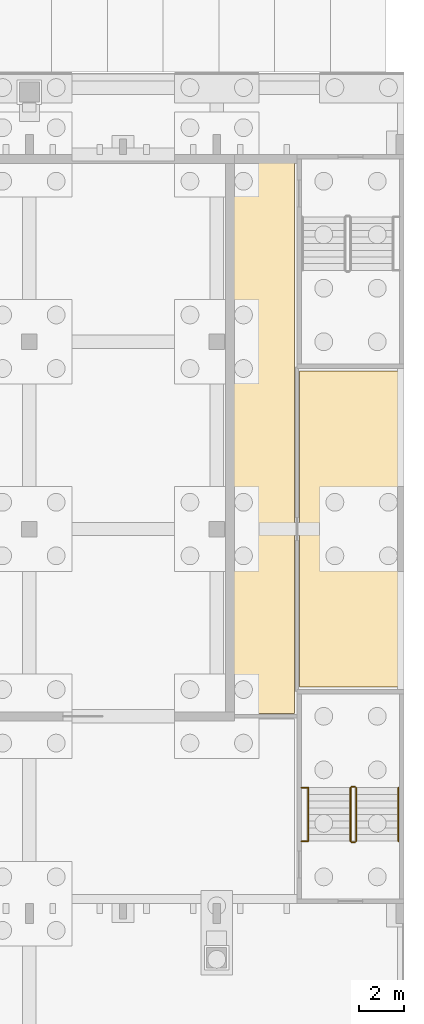
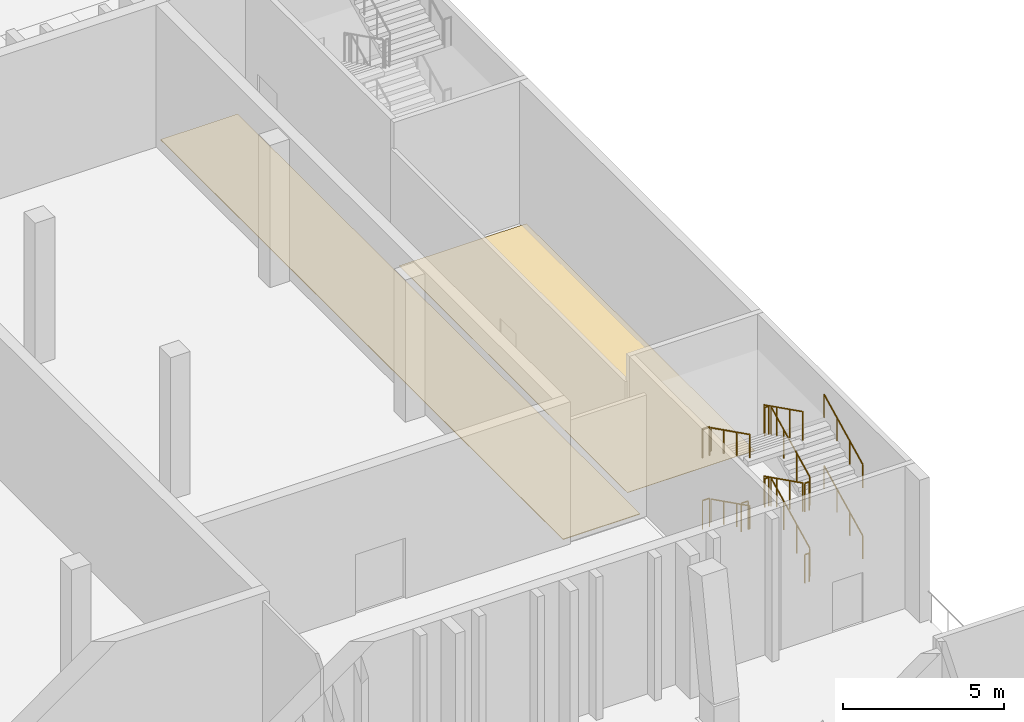
# One storey, part 126 of 129: 15 railings, 2 coverings.
"""IFC4 building model written with IfcOpenShell, lengths in metres."""

from ifc_helpers import new_model, si_unit, direction, frame, origin, origin_2d, place, context, subcontext, project, spatial, polyline, circle, outline, extrude, material, layer, layer_set, type_object, element, save


model = new_model("IFC4")

# Units and contexts
model_context = context("Model", 3, precision=1e-05, world=origin(), true_north=direction((0.0, 1.0)))
body_context = subcontext(model_context, "Body", "Model", "MODEL_VIEW")
ifc_project = project(units=[si_unit("LENGTHUNIT", "METRE"), si_unit("AREAUNIT", "SQUARE_METRE"), si_unit("VOLUMEUNIT", "CUBIC_METRE"), si_unit("PLANEANGLEUNIT", "RADIAN"), si_unit("MASSUNIT", "GRAM", prefix="KILO")], contexts=[model_context])

# Site, building, storey
site_placement = place(None, origin())
site = spatial("IfcSite", under=ifc_project, at=site_placement, CompositionType="ELEMENT")
building_placement = place(site_placement, origin())
building = spatial("IfcBuilding", under=site, at=building_placement, Name="Kiln Court Media Centre", CompositionType="ELEMENT")
storey_placement = place(building_placement, origin())
storey = spatial("IfcBuildingStorey", under=building, at=storey_placement, Name="L00", CompositionType="ELEMENT", Elevation=0.0)

# Coverings
ifc_material_1 = material(Name="Carpet tile")
ifc_layer_1 = layer(ifc_material_1, 0.014892578125)
ifc_layer_set_1 = layer_set([ifc_layer_1], Name="Carpet tile floor finish 15")
covering_type_1 = type_object("IfcCoveringType", Name="Carpet tile floor finish 15", PredefinedType="FLOORING", material=ifc_layer_set_1)
covering_1_placement = place(storey_placement, origin())
element("IfcCovering", 1, at=covering_1_placement, inside=storey, type_object=covering_type_1, Name="Dressing Rooms floor finish", PredefinedType="FLOORING", context=body_context, shape_type="SweptSolid", body=[
    extrude(outline(polyline([(167.8798828125, 43.320068359375), (167.8798828125, 57.47998046875), (163.320068359375, 57.47998046875), (163.320068359375, 43.320068359375), (167.8798828125, 43.320068359375)])), origin(), (0.0, 0.0, 1.0), 0.014892578125),
])
ifc_material_2 = material(Name="Terrazzo")
ifc_layer_2 = layer(ifc_material_2, 0.02490234375)
ifc_layer_set_2 = layer_set([ifc_layer_2], Name="Polished terrazzo floor finish 25")
covering_type_2 = type_object("IfcCoveringType", Name="Polished terrazzo floor finish 25", PredefinedType="FLOORING", material=ifc_layer_set_2)
covering_2_placement = place(storey_placement, origin())
element("IfcCovering", 2, at=covering_2_placement, inside=storey, type_object=covering_type_2, Name="Studio B Corridor floor finish", PredefinedType="FLOORING", context=body_context, shape_type="SweptSolid", body=[
    extrude(outline(polyline([(160.320068359375, 42.1201171875), (163.080078125, 42.1201171875), (163.080078125, 67.080078125), (160.320068359375, 67.080078125), (160.320068359375, 42.1201171875)])), origin(), (0.0, 0.0, 1.0), 0.02490234375),
])

# Railings
ifc_material_3 = material(Name="Steel S275", Category="steel")
railing_type_1 = type_object("IfcRailingType", Name="Steel S275 stair guard 1100", PredefinedType="GUARDRAIL", material=ifc_material_3)
railing_1_placement = place(storey_placement, frame((165.85009765625, 36.39990234375, 0.14990234375)))
element("IfcRailing", 3, at=railing_1_placement, inside=storey, type_object=railing_type_1, Name="ST-14 stair guard", PredefinedType="GUARDRAIL", context=body_context, shape_type="SweptSolid", body=[
    extrude(circle(Radius=0.02392578125, at=origin_2d()), frame((0.0, 0.0, 1.076171875), z_axis=(0.0, 0.894408994573, 0.447249986504), x_axis=(-1.0, 0.0, 0.0)), (0.0, 0.0, 1.0), 2.68359375),
    extrude(circle(Radius=0.02099609375, at=origin_2d()), origin(), (0.0, 0.0, 1.0), 1.052001953125),
    extrude(circle(Radius=0.02099609375, at=origin_2d()), frame((0.0, 0.800048828125, 0.400146484375)), (0.0, 0.0, 1.0), 1.052001953125),
    extrude(circle(Radius=0.02099609375, at=origin_2d()), frame((0.0, 1.60009765625, 0.800048828125)), (0.0, 0.0, 1.0), 1.052001953125),
    extrude(circle(Radius=0.02099609375, at=origin_2d()), frame((0.0, 2.400146484375, 1.2001953125)), (0.0, 0.0, 1.0), 1.052001953125),
])
railing_2_placement = place(storey_placement, frame((165.800048828125, 38.85009765625, 1.35009765625)))
element("IfcRailing", 4, at=railing_2_placement, inside=storey, type_object=railing_type_1, Name="ST-14 stair guard", PredefinedType="GUARDRAIL", context=body_context, shape_type="SweptSolid", body=[
    extrude(circle(Radius=0.02392578125, at=origin_2d()), frame((0.0, 0.0, 1.076171875), z_axis=(-1.0, 0.0, 0.0), x_axis=(0.0, -1.0, 0.0)), (0.0, 0.0, 1.0), 0.150146484375),
    extrude(circle(Radius=0.02099609375, at=origin_2d()), origin(), (0.0, 0.0, 1.0), 1.052001953125),
    extrude(circle(Radius=0.02099609375, at=origin_2d()), frame((-0.150146484375, 0.0, 0.0)), (0.0, 0.0, 1.0), 1.052001953125),
])
railing_3_placement = place(storey_placement, frame((165.60009765625, 38.800048828125, 1.5)))
element("IfcRailing", 5, at=railing_3_placement, inside=storey, type_object=railing_type_1, Name="ST-14 stair guard", PredefinedType="GUARDRAIL", context=body_context, shape_type="SweptSolid", body=[
    extrude(circle(Radius=0.02392578125, at=origin_2d()), frame((0.0, 0.0, 1.076171875), z_axis=(0.0, -0.894445386687, 0.447177202275), x_axis=(1.0, 0.0, 0.0)), (0.0, 0.0, 1.0), 2.683349609375),
    extrude(circle(Radius=0.02099609375, at=origin_2d()), origin(), (0.0, 0.0, 1.0), 1.052001953125),
    extrude(circle(Radius=0.02099609375, at=origin_2d()), frame((0.0, -0.800048828125, 0.39990234375)), (0.0, 0.0, 1.0), 1.052001953125),
    extrude(circle(Radius=0.02099609375, at=origin_2d()), frame((0.0, -1.60009765625, 0.800048828125)), (0.0, 0.0, 1.0), 1.052001953125),
    extrude(circle(Radius=0.02099609375, at=origin_2d()), frame((0.0, -2.400146484375, 1.199951171875)), (0.0, 0.0, 1.0), 1.052001953125),
])
railing_4_placement = place(storey_placement, frame((165.800048828125, 36.35009765625, 2.699951171875)))
element("IfcRailing", 6, at=railing_4_placement, inside=storey, type_object=railing_type_1, Name="ST-14 stair guard", PredefinedType="GUARDRAIL", context=body_context, shape_type="SweptSolid", body=[
    extrude(circle(Radius=0.02392578125, at=origin_2d()), frame((0.0, 0.0, 1.076171875), z_axis=(-1.0, 0.0, 0.0), x_axis=(0.0, -1.0, 0.0)), (0.0, 0.0, 1.0), 0.150146484375),
    extrude(circle(Radius=0.02099609375, at=origin_2d()), origin(), (0.0, 0.0, 1.0), 1.052001953125),
    extrude(circle(Radius=0.02099609375, at=origin_2d()), frame((-0.150146484375, 0.0, 0.0)), (0.0, 0.0, 1.0), 1.052001953125),
])
railing_5_placement = place(storey_placement, frame((165.85009765625, 36.39990234375, 2.85009765625)))
element("IfcRailing", 7, at=railing_5_placement, inside=storey, type_object=railing_type_1, Name="ST-14 stair guard", PredefinedType="GUARDRAIL", context=body_context, shape_type="SweptSolid", body=[
    extrude(circle(Radius=0.02392578125, at=origin_2d()), frame((0.0, 0.0, 1.076171875), z_axis=(0.0, 0.894445386687, 0.447177202275), x_axis=(-1.0, 0.0, 0.0)), (0.0, 0.0, 1.0), 2.683349609375),
    extrude(circle(Radius=0.02099609375, at=origin_2d()), origin(), (0.0, 0.0, 1.0), 1.052001953125),
    extrude(circle(Radius=0.02099609375, at=origin_2d()), frame((0.0, 0.800048828125, 0.39990234375)), (0.0, 0.0, 1.0), 1.052001953125),
    extrude(circle(Radius=0.02099609375, at=origin_2d()), frame((0.0, 1.60009765625, 0.800048828125)), (0.0, 0.0, 1.0), 1.052001953125),
    extrude(circle(Radius=0.02099609375, at=origin_2d()), frame((0.0, 2.400146484375, 1.199951171875)), (0.0, 0.0, 1.0), 1.052001953125),
])
railing_6_placement = place(storey_placement, frame((165.800048828125, 38.85009765625, 4.050048828125)))
element("IfcRailing", 8, at=railing_6_placement, inside=storey, type_object=railing_type_1, Name="ST-14 stair guard", PredefinedType="GUARDRAIL", context=body_context, shape_type="SweptSolid", body=[
    extrude(circle(Radius=0.02392578125, at=origin_2d()), frame((0.0, 0.0, 1.076171875), z_axis=(-1.0, 0.0, 0.0), x_axis=(0.0, -1.0, 0.0)), (0.0, 0.0, 1.0), 0.150146484375),
    extrude(circle(Radius=0.02099609375, at=origin_2d()), origin(), (0.0, 0.0, 1.0), 1.052001953125),
    extrude(circle(Radius=0.02099609375, at=origin_2d()), frame((-0.150146484375, 0.0, 0.0)), (0.0, 0.0, 1.0), 1.052001953125),
])
railing_7_placement = place(storey_placement, frame((165.60009765625, 38.800048828125, 4.199951171875)))
element("IfcRailing", 9, at=railing_7_placement, inside=storey, type_object=railing_type_1, Name="ST-14 stair guard", PredefinedType="GUARDRAIL", context=body_context, shape_type="SweptSolid", body=[
    extrude(circle(Radius=0.02392578125, at=origin_2d()), frame((0.0, 0.0, 1.076171875), z_axis=(0.0, -0.894445386687, 0.447177202275), x_axis=(1.0, 0.0, 0.0)), (0.0, 0.0, 1.0), 2.683349609375),
    extrude(circle(Radius=0.02099609375, at=origin_2d()), origin(), (0.0, 0.0, 1.0), 1.052001953125),
    extrude(circle(Radius=0.02099609375, at=origin_2d()), frame((0.0, -0.800048828125, 0.39990234375)), (0.0, 0.0, 1.0), 1.052001953125),
    extrude(circle(Radius=0.02099609375, at=origin_2d()), frame((0.0, -1.60009765625, 0.800048828125)), (0.0, 0.0, 1.0), 1.052001953125),
    extrude(circle(Radius=0.02099609375, at=origin_2d()), frame((0.0, -2.400146484375, 1.199951171875)), (0.0, 0.0, 1.0), 1.052001953125),
])
railing_8_placement = place(storey_placement, frame((165.800048828125, 36.35009765625, 0.0)))
element("IfcRailing", 10, at=railing_8_placement, inside=storey, type_object=railing_type_1, Name="ST-14 stair guard", PredefinedType="GUARDRAIL", context=body_context, shape_type="SweptSolid", body=[
    extrude(circle(Radius=0.02392578125, at=origin_2d()), frame((0.0, 0.0, 1.076171875), z_axis=(-1.0, 0.0, 0.0), x_axis=(0.0, -1.0, 0.0)), (0.0, 0.0, 1.0), 0.150146484375),
    extrude(circle(Radius=0.02099609375, at=origin_2d()), origin(), (0.0, 0.0, 1.0), 1.052001953125),
    extrude(circle(Radius=0.02099609375, at=origin_2d()), frame((-0.150146484375, 0.0, 0.0)), (0.0, 0.0, 1.0), 1.052001953125),
])
for number, where, name in (
    (11, (163.64990234375, 38.800048828125, 1.35009765625), "ST-14 landing edge guard"),
    (12, (163.64990234375, 36.39990234375, 2.699951171875), "ST-14 landing edge guard"),
    (13, (163.64990234375, 38.800048828125, 4.050048828125), "ST-14 landing edge guard"),
):
    element("IfcRailing", number, at=place(storey_placement, frame(where)), inside=storey, type_object=railing_type_1, Name=name, PredefinedType="GUARDRAIL", context=body_context, shape_type="SweptSolid", body=[
        extrude(circle(Radius=0.02392578125, at=origin_2d()), frame((0.0, 0.0, 1.076171875), z_axis=(-1.0, 0.0, 0.0), x_axis=(0.0, -1.0, 0.0)), (0.0, 0.0, 1.0), 0.25),
        extrude(circle(Radius=0.02099609375, at=origin_2d()), origin(), (0.0, 0.0, 1.0), 1.052001953125),
        extrude(circle(Radius=0.02099609375, at=origin_2d()), frame((-0.25, 0.0, 0.0)), (0.0, 0.0, 1.0), 1.052001953125),
    ])
ifc_material_4 = material(Name="Steel S275", Category="steel")
railing_type_2 = type_object("IfcRailingType", Name="Steel S275 stair handrail 900", PredefinedType="HANDRAIL", material=ifc_material_4)
railing_9_placement = place(storey_placement, frame((167.75, 36.39990234375, 0.14990234375)))
element("IfcRailing", 14, at=railing_9_placement, inside=storey, type_object=railing_type_2, Name="ST-14 stair handrail", PredefinedType="HANDRAIL", context=body_context, shape_type="SweptSolid", body=[
    extrude(circle(Radius=0.02392578125, at=origin_2d()), frame((0.0, 0.0, 0.8759765625), z_axis=(0.0, 0.894408994573, 0.447249986504), x_axis=(-1.0, 0.0, 0.0)), (0.0, 0.0, 1.0), 2.68359375),
    extrude(circle(Radius=0.02099609375, at=origin_2d()), origin(), (0.0, 0.0, 1.0), 0.851806640625),
    extrude(circle(Radius=0.02099609375, at=origin_2d()), frame((0.0, 0.800048828125, 0.400146484375)), (0.0, 0.0, 1.0), 0.851806640625),
    extrude(circle(Radius=0.02099609375, at=origin_2d()), frame((0.0, 1.60009765625, 0.800048828125)), (0.0, 0.0, 1.0), 0.851806640625),
    extrude(circle(Radius=0.02099609375, at=origin_2d()), frame((0.0, 2.400146484375, 1.2001953125)), (0.0, 0.0, 1.0), 0.851806640625),
])
railing_10_placement = place(storey_placement, frame((163.699951171875, 38.800048828125, 1.5)))
element("IfcRailing", 15, at=railing_10_placement, inside=storey, type_object=railing_type_2, Name="ST-14 stair handrail", PredefinedType="HANDRAIL", context=body_context, shape_type="SweptSolid", body=[
    extrude(circle(Radius=0.02392578125, at=origin_2d()), frame((0.0, 0.0, 0.8759765625), z_axis=(0.0, -0.894445386687, 0.447177202275), x_axis=(1.0, 0.0, 0.0)), (0.0, 0.0, 1.0), 2.683349609375),
    extrude(circle(Radius=0.02099609375, at=origin_2d()), origin(), (0.0, 0.0, 1.0), 0.851806640625),
    extrude(circle(Radius=0.02099609375, at=origin_2d()), frame((0.0, -0.800048828125, 0.39990234375)), (0.0, 0.0, 1.0), 0.851806640625),
    extrude(circle(Radius=0.02099609375, at=origin_2d()), frame((0.0, -1.60009765625, 0.800048828125)), (0.0, 0.0, 1.0), 0.851806640625),
    extrude(circle(Radius=0.02099609375, at=origin_2d()), frame((0.0, -2.400146484375, 1.199951171875)), (0.0, 0.0, 1.0), 0.851806640625),
])
railing_11_placement = place(storey_placement, frame((167.75, 36.39990234375, 2.85009765625)))
element("IfcRailing", 16, at=railing_11_placement, inside=storey, type_object=railing_type_2, Name="ST-14 stair handrail", PredefinedType="HANDRAIL", context=body_context, shape_type="SweptSolid", body=[
    extrude(circle(Radius=0.02392578125, at=origin_2d()), frame((0.0, 0.0, 0.8759765625), z_axis=(0.0, 0.894445386687, 0.447177202275), x_axis=(-1.0, 0.0, 0.0)), (0.0, 0.0, 1.0), 2.683349609375),
    extrude(circle(Radius=0.02099609375, at=origin_2d()), origin(), (0.0, 0.0, 1.0), 0.851806640625),
    extrude(circle(Radius=0.02099609375, at=origin_2d()), frame((0.0, 0.800048828125, 0.39990234375)), (0.0, 0.0, 1.0), 0.851806640625),
    extrude(circle(Radius=0.02099609375, at=origin_2d()), frame((0.0, 1.60009765625, 0.800048828125)), (0.0, 0.0, 1.0), 0.851806640625),
    extrude(circle(Radius=0.02099609375, at=origin_2d()), frame((0.0, 2.400146484375, 1.199951171875)), (0.0, 0.0, 1.0), 0.851806640625),
])
railing_12_placement = place(storey_placement, frame((163.699951171875, 38.800048828125, 4.199951171875)))
element("IfcRailing", 17, at=railing_12_placement, inside=storey, type_object=railing_type_2, Name="ST-14 stair handrail", PredefinedType="HANDRAIL", context=body_context, shape_type="SweptSolid", body=[
    extrude(circle(Radius=0.02392578125, at=origin_2d()), frame((0.0, 0.0, 0.8759765625), z_axis=(0.0, -0.894445386687, 0.447177202275), x_axis=(1.0, 0.0, 0.0)), (0.0, 0.0, 1.0), 2.683349609375),
    extrude(circle(Radius=0.02099609375, at=origin_2d()), origin(), (0.0, 0.0, 1.0), 0.851806640625),
    extrude(circle(Radius=0.02099609375, at=origin_2d()), frame((0.0, -0.800048828125, 0.39990234375)), (0.0, 0.0, 1.0), 0.851806640625),
    extrude(circle(Radius=0.02099609375, at=origin_2d()), frame((0.0, -1.60009765625, 0.800048828125)), (0.0, 0.0, 1.0), 0.851806640625),
    extrude(circle(Radius=0.02099609375, at=origin_2d()), frame((0.0, -2.400146484375, 1.199951171875)), (0.0, 0.0, 1.0), 0.851806640625),
])

save(model, "model.ifc")
